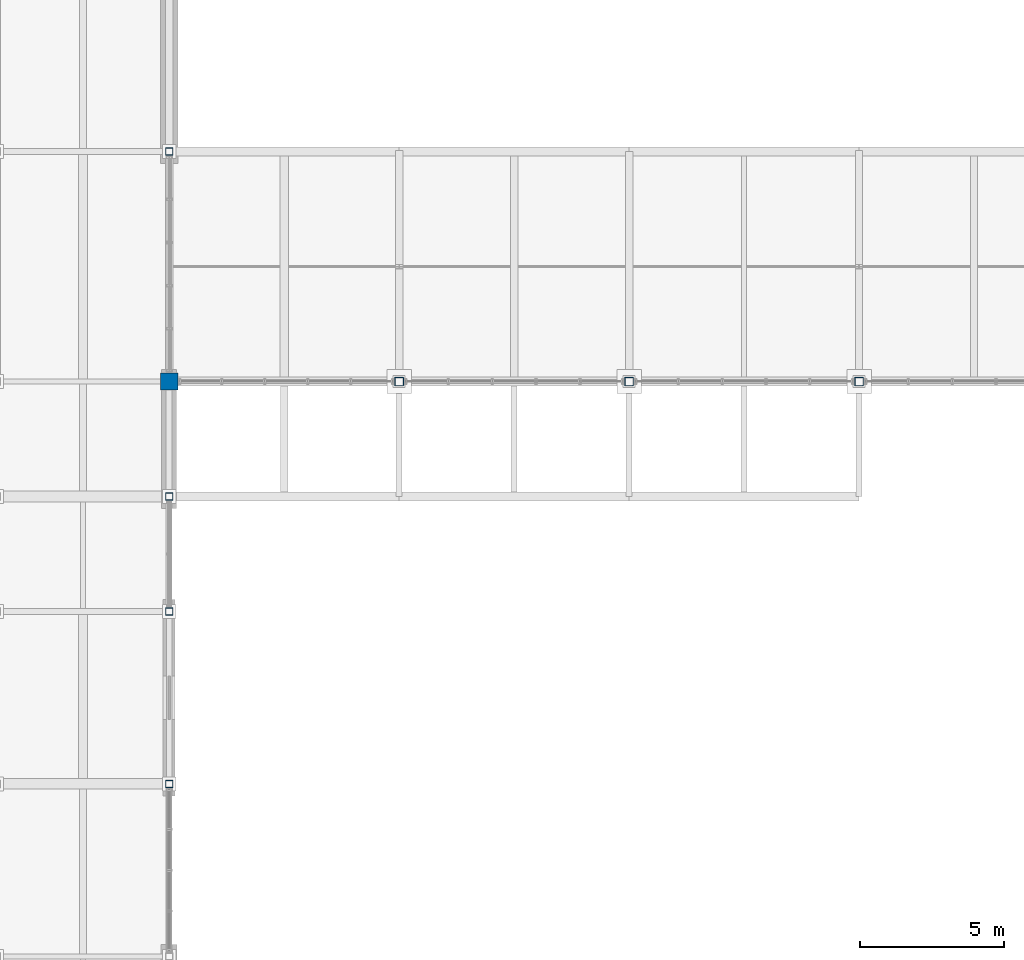
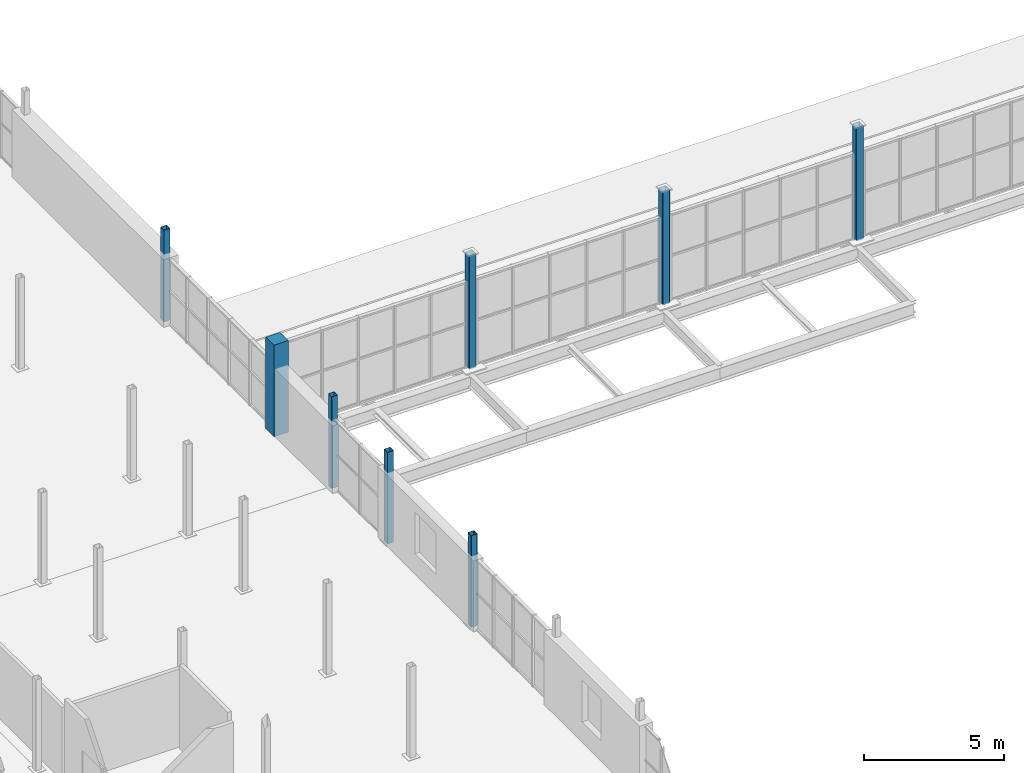
# One storey, part 7 of 96: 8 columns.
"""IFC4 building model written with IfcOpenShell, lengths in metres."""

from ifc_helpers import new_model, si_unit, direction, frame, origin, origin_2d, place, context, subcontext, project, spatial, rectangle, hollow_rectangle, extrude, material, material_profile, profile_set, type_object, element, save


model = new_model("IFC4")

# Units and contexts
model_context = context("Model", 3, precision=1e-05, world=origin(), true_north=direction((0.0, 1.0)))
body_context = subcontext(model_context, "Body", "Model", "MODEL_VIEW")
ifc_project = project(units=[si_unit("LENGTHUNIT", "METRE"), si_unit("AREAUNIT", "SQUARE_METRE"), si_unit("VOLUMEUNIT", "CUBIC_METRE"), si_unit("PLANEANGLEUNIT", "RADIAN"), si_unit("MASSUNIT", "GRAM", prefix="KILO")], contexts=[model_context])

# Site, building, storey
site_placement = place(None, origin())
site = spatial("IfcSite", under=ifc_project, at=site_placement, CompositionType="ELEMENT")
building_placement = place(site_placement, origin())
building = spatial("IfcBuilding", under=site, at=building_placement, Name="Verrall Gate Interchange", CompositionType="ELEMENT")
storey_placement = place(building_placement, frame((0.0, 0.0, 11.39990234375)))
storey = spatial("IfcBuildingStorey", under=building, at=storey_placement, Name="L03", CompositionType="ELEMENT", Elevation=11.39990234375)

# Columns
ifc_material_1 = material(Name="Concrete CSA A23.1 40 MPa (Class N)", Category="concrete")
ifc_material_profile_1 = material_profile(ifc_material_1, rectangle(XDim=0.60009765625, YDim=0.60009765625, at=origin_2d()), Name="RC600x600")
ifc_profile_set_1 = profile_set([ifc_material_profile_1], Name="Concrete CSA A23.1 40 MPa (Class N)")
column_type_1 = type_object("IfcColumnType", Name="C-04 Column RC600x600", PredefinedType="COLUMN", material=ifc_profile_set_1)
column_placement = place(storey_placement, frame((36.0, 48.0, 0.0), z_axis=(0.0, 0.0, 1.0), x_axis=(1.0, 0.0, 0.0)))
element("IfcColumn", 1, at=column_placement, inside=storey, type_object=column_type_1, Name="L03 Column COL-L03-0790 (C-04)", PredefinedType="COLUMN", context=body_context, shape_type="SweptSolid", body=[
    extrude(rectangle(XDim=0.60009765625, YDim=0.60009765625, at=origin_2d()), origin(), (0.0, 0.0, 1.0), 4.0),
])
ifc_material_2 = material(Name="Structural Steel CSA G40.21 350WT Cat 4", Category="steel")
ifc_material_profile_2 = material_profile(ifc_material_2, hollow_rectangle(XDim=0.304931640625, YDim=0.304931640625, WallThickness=0.0126953125, InnerFilletRadius=0.0126953125, OuterFilletRadius=0.025390625, at=origin_2d()), Name="HSS305x305x13")
ifc_profile_set_2 = profile_set([ifc_material_profile_2], Name="Structural Steel CSA G40.21 350WT Cat 4")
column_type_2 = type_object("IfcColumnType", Name="C-12 Column HSS305x305x13", PredefinedType="COLUMN", material=ifc_profile_set_2)
for number, where, z_axis, x_axis, name in (
    (2, (44.0, 48.0, 0.0), (0.0, 0.0, 1.0), (1.0, 0.0, 0.0), "Grand Concourse Roof Pier Column COL-L03-V1R-1512"),
    (3, (52.0, 48.0, 0.0), (0.0, 0.0, 1.0), (1.0, 0.0, 0.0), "Grand Concourse Roof Pier Column COL-L03-V1R-1514"),
    (4, (60.0, 48.0, 0.0), (0.0, 0.0, 1.0), (1.0, 0.0, 0.0), "Grand Concourse Roof Pier Column COL-L03-V1R-1516"),
):
    element("IfcColumn", number, at=place(storey_placement, frame(where, z_axis=z_axis, x_axis=x_axis)), inside=storey, type_object=column_type_2, Name=name, PredefinedType="COLUMN", context=body_context, shape_type="SweptSolid", body=[
        extrude(hollow_rectangle(XDim=0.304931640625, YDim=0.304931640625, WallThickness=0.0126953125, InnerFilletRadius=0.0126953125, OuterFilletRadius=0.025390625, at=origin_2d()), origin(), (0.0, 0.0, 1.0), 4.960205078125),
    ])
ifc_material_3 = material(Name="Structural Steel CSA G40.21 350WT Cat 4", Category="steel")
ifc_material_profile_3 = material_profile(ifc_material_3, hollow_rectangle(XDim=0.25390625, YDim=0.25390625, WallThickness=0.009521484375, InnerFilletRadius=0.009521484375, OuterFilletRadius=0.01904296875, at=origin_2d()), Name="HSS254x254x9.5")
ifc_profile_set_3 = profile_set([ifc_material_profile_3], Name="Structural Steel CSA G40.21 350WT Cat 4")
column_type_3 = type_object("IfcColumnType", Name="C-13 Column HSS254x254x9.5", PredefinedType="COLUMN", material=ifc_profile_set_3)
for number, where, z_axis, x_axis, name in (
    (5, (36.0, 34.0, 0.0), (0.0, 0.0, 1.0), (1.0, 0.0, 0.0), "L03 Column COL-L03-0766 (C-13)"),
    (6, (36.0, 40.0, 0.0), (0.0, 0.0, 1.0), (1.0, 0.0, 0.0), "L03 Column COL-L03-0774 (C-13)"),
    (7, (36.0, 44.0, 0.0), (0.0, 0.0, 1.0), (1.0, 0.0, 0.0), "L03 Column COL-L03-0782 (C-13)"),
    (8, (36.0, 56.0, 0.0), (0.0, 0.0, 1.0), (1.0, 0.0, 0.0), "L03 Column COL-L03-0798 (C-13)"),
):
    element("IfcColumn", number, at=place(storey_placement, frame(where, z_axis=z_axis, x_axis=x_axis)), inside=storey, type_object=column_type_3, Name=name, PredefinedType="COLUMN", context=body_context, shape_type="SweptSolid", body=[
        extrude(hollow_rectangle(XDim=0.25390625, YDim=0.25390625, WallThickness=0.009521484375, InnerFilletRadius=0.009521484375, OuterFilletRadius=0.01904296875, at=origin_2d()), origin(), (0.0, 0.0, 1.0), 4.0),
    ])

save(model, "model.ifc")
